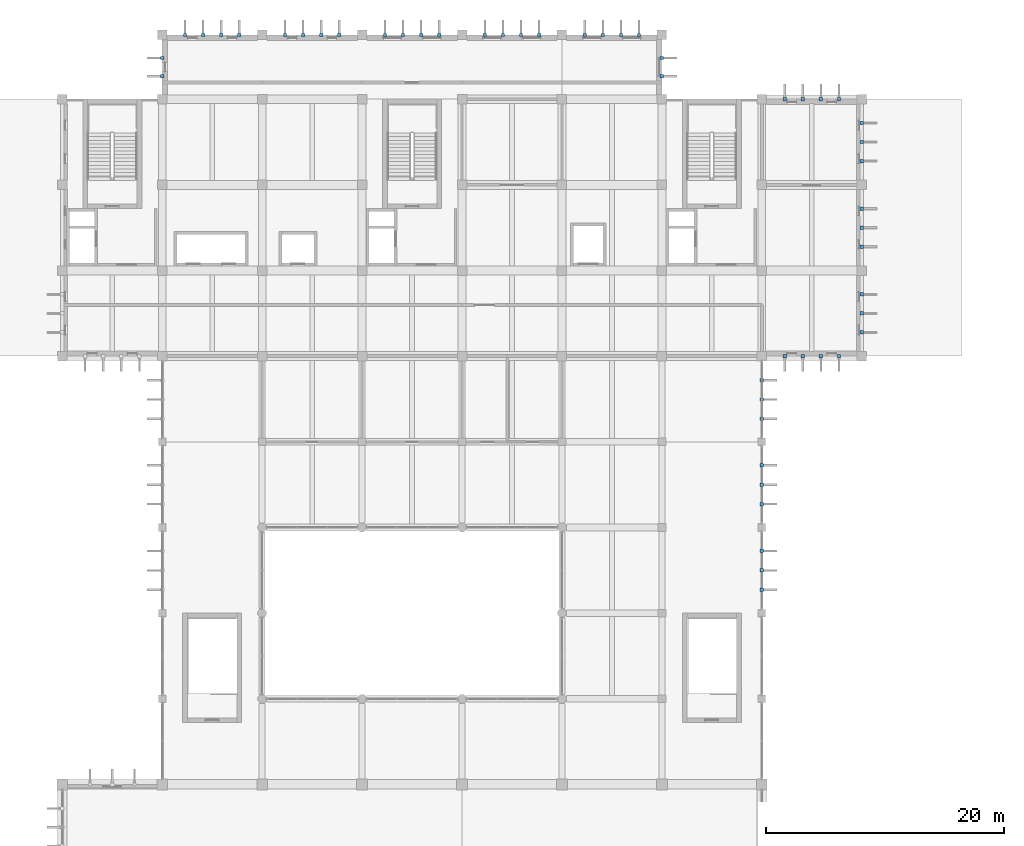
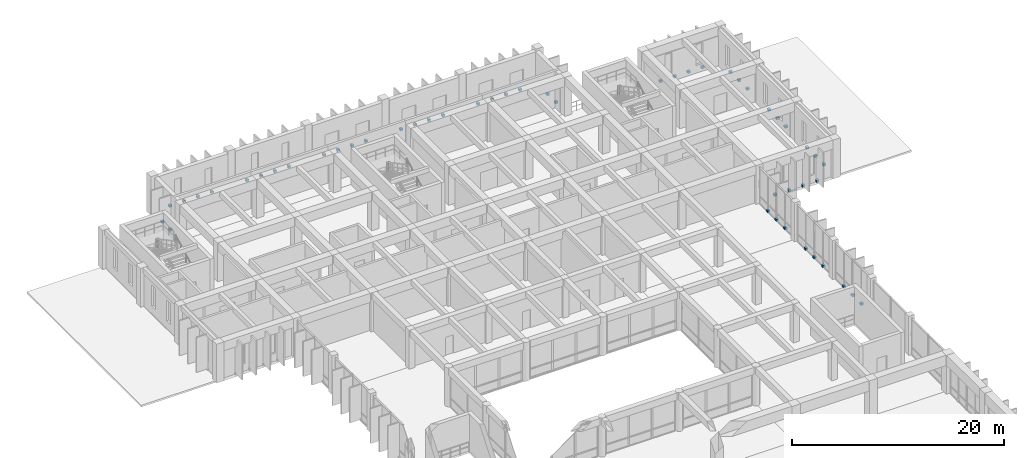
# One storey, part 34 of 40: 50 discrete accessories.
"""IFC4 building model written with IfcOpenShell, lengths in metres."""

from ifc_helpers import new_model, si_unit, direction, frame, origin, origin_2d, place, context, subcontext, project, spatial, rectangle, extrude, material, type_object, element, save


model = new_model("IFC4")

# Units and contexts
model_context = context("Model", 3, precision=1e-05, world=origin(), true_north=direction((0.0, 1.0)))
body_context = subcontext(model_context, "Body", "Model", "MODEL_VIEW")
ifc_project = project(units=[si_unit("LENGTHUNIT", "METRE"), si_unit("AREAUNIT", "SQUARE_METRE"), si_unit("VOLUMEUNIT", "CUBIC_METRE"), si_unit("PLANEANGLEUNIT", "RADIAN"), si_unit("MASSUNIT", "GRAM", prefix="KILO")], contexts=[model_context])

# Site, building, storey
site_placement = place(None, origin())
site = spatial("IfcSite", under=ifc_project, at=site_placement, CompositionType="ELEMENT")
building_placement = place(site_placement, origin())
building = spatial("IfcBuilding", under=site, at=building_placement, Name="Kenerak Square Central Library", CompositionType="ELEMENT")
storey_placement = place(building_placement, frame((0.0, 0.0, 14.39990234375)))
storey = spatial("IfcBuildingStorey", under=building, at=storey_placement, Name="L03", CompositionType="ELEMENT", Elevation=14.39990234375)

# Discrete accessories
ifc_material = material(Name="Steel S355", Category="steel")
discrete_accessory_type = type_object("IfcDiscreteAccessoryType", Name="Solar Fin Structural Cleat Bracket BRK-S355", PredefinedType="BRACKET", material=ifc_material)
for number, where, z_axis, x_axis, name in (
    (1, (66.800048828125, 112.333251953125, 0.0), (0.0, 0.0, 1.0), (0.0, 1.0, 0.0), "Solar Fin Cleat Bracket BRK-01 L03 0235"),
    (2, (66.800048828125, 113.86669921875, 0.0), (0.0, 0.0, 1.0), (0.0, 1.0, 0.0), "Solar Fin Cleat Bracket BRK-01 L03 0236"),
    (3, (68.719970703125, 115.800048828125, 0.0), (0.0, 0.0, 1.0), (1.0, 0.0, 0.0), "Solar Fin Cleat Bracket BRK-01 L03 0237"),
    (4, (70.239990234375, 115.800048828125, 0.0), (0.0, 0.0, 1.0), (1.0, 0.0, 0.0), "Solar Fin Cleat Bracket BRK-01 L03 0238"),
    (5, (71.760009765625, 115.800048828125, 0.0), (0.0, 0.0, 1.0), (1.0, 0.0, 0.0), "Solar Fin Cleat Bracket BRK-01 L03 0239"),
    (6, (73.280029296875, 115.800048828125, 0.0), (0.0, 0.0, 1.0), (1.0, 0.0, 0.0), "Solar Fin Cleat Bracket BRK-01 L03 0240"),
    (7, (77.1201171875, 115.800048828125, 0.0), (0.0, 0.0, 1.0), (1.0, 0.0, 0.0), "Solar Fin Cleat Bracket BRK-01 L03 0241"),
    (8, (78.639892578125, 115.800048828125, 0.0), (0.0, 0.0, 1.0), (1.0, 0.0, 0.0), "Solar Fin Cleat Bracket BRK-01 L03 0242"),
    (9, (80.159912109375, 115.800048828125, 0.0), (0.0, 0.0, 1.0), (1.0, 0.0, 0.0), "Solar Fin Cleat Bracket BRK-01 L03 0243"),
    (10, (81.679931640625, 115.800048828125, 0.0), (0.0, 0.0, 1.0), (1.0, 0.0, 0.0), "Solar Fin Cleat Bracket BRK-01 L03 0244"),
    (11, (85.52001953125, 115.800048828125, 0.0), (0.0, 0.0, 1.0), (1.0, 0.0, 0.0), "Solar Fin Cleat Bracket BRK-01 L03 0245"),
    (12, (87.0400390625, 115.800048828125, 0.0), (0.0, 0.0, 1.0), (1.0, 0.0, 0.0), "Solar Fin Cleat Bracket BRK-01 L03 0246"),
    (13, (88.56005859375, 115.800048828125, 0.0), (0.0, 0.0, 1.0), (1.0, 0.0, 0.0), "Solar Fin Cleat Bracket BRK-01 L03 0247"),
    (14, (90.080078125, 115.800048828125, 0.0), (0.0, 0.0, 1.0), (1.0, 0.0, 0.0), "Solar Fin Cleat Bracket BRK-01 L03 0248"),
    (15, (93.919921875, 115.800048828125, 0.0), (0.0, 0.0, 1.0), (1.0, 0.0, 0.0), "Solar Fin Cleat Bracket BRK-01 L03 0249"),
    (16, (95.43994140625, 115.800048828125, 0.0), (0.0, 0.0, 1.0), (1.0, 0.0, 0.0), "Solar Fin Cleat Bracket BRK-01 L03 0250"),
    (17, (96.9599609375, 115.800048828125, 0.0), (0.0, 0.0, 1.0), (1.0, 0.0, 0.0), "Solar Fin Cleat Bracket BRK-01 L03 0251"),
    (18, (98.47998046875, 115.800048828125, 0.0), (0.0, 0.0, 1.0), (1.0, 0.0, 0.0), "Solar Fin Cleat Bracket BRK-01 L03 0252"),
    (19, (102.320068359375, 115.800048828125, 0.0), (0.0, 0.0, 1.0), (1.0, 0.0, 0.0), "Solar Fin Cleat Bracket BRK-01 L03 0253"),
    (20, (103.840087890625, 115.800048828125, 0.0), (0.0, 0.0, 1.0), (1.0, 0.0, 0.0), "Solar Fin Cleat Bracket BRK-01 L03 0254"),
    (21, (105.360107421875, 115.800048828125, 0.0), (0.0, 0.0, 1.0), (1.0, 0.0, 0.0), "Solar Fin Cleat Bracket BRK-01 L03 0255"),
    (22, (106.8798828125, 115.800048828125, 0.0), (0.0, 0.0, 1.0), (1.0, 0.0, 0.0), "Solar Fin Cleat Bracket BRK-01 L03 0256"),
    (23, (108.800048828125, 113.86669921875, 0.0), (0.0, 0.0, 1.0), (0.0, -1.0, 0.0), "Solar Fin Cleat Bracket BRK-01 L03 0257"),
    (24, (108.800048828125, 112.333251953125, 0.0), (0.0, 0.0, 1.0), (0.0, -1.0, 0.0), "Solar Fin Cleat Bracket BRK-01 L03 0258"),
    (25, (119.1201171875, 110.39990234375, 0.0), (0.0, 0.0, 1.0), (1.0, 0.0, 0.0), "Solar Fin Cleat Bracket BRK-01 L03 0259"),
    (26, (120.639892578125, 110.39990234375, 0.0), (0.0, 0.0, 1.0), (1.0, 0.0, 0.0), "Solar Fin Cleat Bracket BRK-01 L03 0260"),
    (27, (122.159912109375, 110.39990234375, 0.0), (0.0, 0.0, 1.0), (1.0, 0.0, 0.0), "Solar Fin Cleat Bracket BRK-01 L03 0261"),
    (28, (123.679931640625, 110.39990234375, 0.0), (0.0, 0.0, 1.0), (1.0, 0.0, 0.0), "Solar Fin Cleat Bracket BRK-01 L03 0262"),
    (29, (125.60009765625, 108.39990234375, 0.0), (0.0, 0.0, 1.0), (0.0, -1.0, 0.0), "Solar Fin Cleat Bracket BRK-01 L03 0263"),
    (30, (125.60009765625, 106.800048828125, 0.0), (0.0, 0.0, 1.0), (0.0, -1.0, 0.0), "Solar Fin Cleat Bracket BRK-01 L03 0264"),
    (31, (125.60009765625, 105.199951171875, 0.0), (0.0, 0.0, 1.0), (0.0, -1.0, 0.0), "Solar Fin Cleat Bracket BRK-01 L03 0265"),
    (32, (125.60009765625, 101.199951171875, 0.0), (0.0, 0.0, 1.0), (0.0, -1.0, 0.0), "Solar Fin Cleat Bracket BRK-01 L03 0266"),
    (33, (125.60009765625, 99.60009765625, 0.0), (0.0, 0.0, 1.0), (0.0, -1.0, 0.0), "Solar Fin Cleat Bracket BRK-01 L03 0267"),
    (34, (125.60009765625, 98.0, 0.0), (0.0, 0.0, 1.0), (0.0, -1.0, 0.0), "Solar Fin Cleat Bracket BRK-01 L03 0268"),
    (35, (125.60009765625, 94.0, 0.0), (0.0, 0.0, 1.0), (0.0, -1.0, 0.0), "Solar Fin Cleat Bracket BRK-01 L03 0269"),
    (36, (125.60009765625, 92.39990234375, 0.0), (0.0, 0.0, 1.0), (0.0, -1.0, 0.0), "Solar Fin Cleat Bracket BRK-01 L03 0270"),
    (37, (125.60009765625, 90.800048828125, 0.0), (0.0, 0.0, 1.0), (0.0, -1.0, 0.0), "Solar Fin Cleat Bracket BRK-01 L03 0271"),
    (38, (123.679931640625, 88.800048828125, 0.0), (0.0, 0.0, 1.0), (-1.0, 0.0, 0.0), "Solar Fin Cleat Bracket BRK-01 L03 0272"),
    (39, (122.159912109375, 88.800048828125, 0.0), (0.0, 0.0, 1.0), (-1.0, 0.0, 0.0), "Solar Fin Cleat Bracket BRK-01 L03 0273"),
    (40, (120.639892578125, 88.800048828125, 0.0), (0.0, 0.0, 1.0), (-1.0, 0.0, 0.0), "Solar Fin Cleat Bracket BRK-01 L03 0274"),
    (41, (119.1201171875, 88.800048828125, 0.0), (0.0, 0.0, 1.0), (-1.0, 0.0, 0.0), "Solar Fin Cleat Bracket BRK-01 L03 0275"),
    (42, (117.199951171875, 86.78125, 0.0), (0.0, 0.0, 1.0), (0.0, -1.0, 0.0), "Solar Fin Cleat Bracket BRK-01 L03 0276"),
    (43, (117.199951171875, 85.16259765625, 0.0), (0.0, 0.0, 1.0), (0.0, -1.0, 0.0), "Solar Fin Cleat Bracket BRK-01 L03 0277"),
    (44, (117.199951171875, 83.543701171875, 0.0), (0.0, 0.0, 1.0), (0.0, -1.0, 0.0), "Solar Fin Cleat Bracket BRK-01 L03 0278"),
    (45, (117.199951171875, 79.637451171875, 0.0), (0.0, 0.0, 1.0), (0.0, -1.0, 0.0), "Solar Fin Cleat Bracket BRK-01 L03 0279"),
    (46, (117.199951171875, 78.0, 0.0), (0.0, 0.0, 1.0), (0.0, -1.0, 0.0), "Solar Fin Cleat Bracket BRK-01 L03 0280"),
    (47, (117.199951171875, 76.362548828125, 0.0), (0.0, 0.0, 1.0), (0.0, -1.0, 0.0), "Solar Fin Cleat Bracket BRK-01 L03 0281"),
    (48, (117.199951171875, 72.4375, 0.0), (0.0, 0.0, 1.0), (0.0, -1.0, 0.0), "Solar Fin Cleat Bracket BRK-01 L03 0282"),
    (49, (117.199951171875, 70.800048828125, 0.0), (0.0, 0.0, 1.0), (0.0, -1.0, 0.0), "Solar Fin Cleat Bracket BRK-01 L03 0283"),
    (50, (117.199951171875, 69.16259765625, 0.0), (0.0, 0.0, 1.0), (0.0, -1.0, 0.0), "Solar Fin Cleat Bracket BRK-01 L03 0284"),
):
    element("IfcDiscreteAccessory", number, at=place(storey_placement, frame(where, z_axis=z_axis, x_axis=x_axis)), inside=storey, type_object=discrete_accessory_type, Name=name, PredefinedType="BRACKET", context=body_context, shape_type="SweptSolid", body=[
        extrude(rectangle(XDim=0.280029296875, YDim=0.280029296875, at=origin_2d()), origin(), (0.0, 0.0, 1.0), 0.239990234375),
    ])

save(model, "model.ifc")
